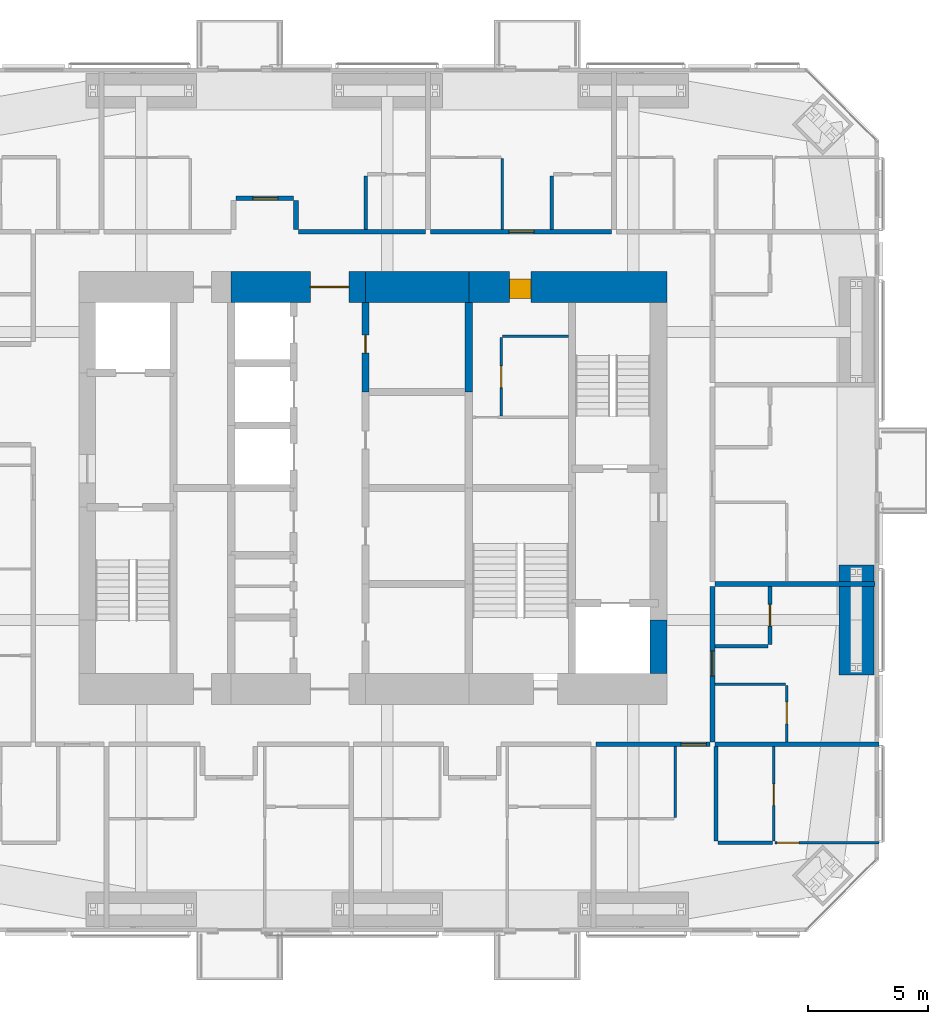
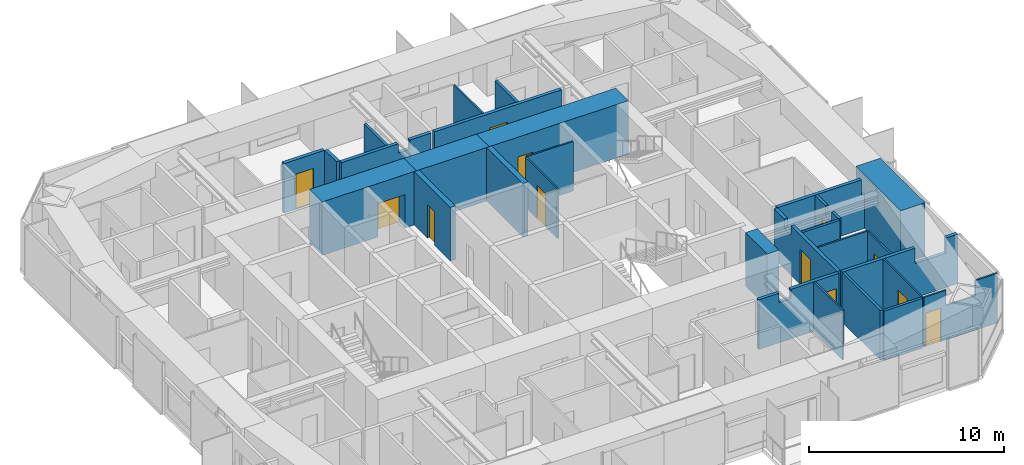
# One storey, part 19 of 23: 29 walls, 12 doors, 12 openings.
"""IFC4 building model written with IfcOpenShell, lengths in metres."""

from ifc_helpers import new_model, si_unit, direction, frame, frame_2d, origin, place, context, subcontext, project, spatial, polyline, rectangle, outline, extrude, material, layer, layer_set, constituent, constituent_set, type_object, element, fill, save


model = new_model("IFC4")

# Units and contexts
model_context = context("Model", 3, precision=1e-05, world=origin(), true_north=direction((0.0, 1.0)))
body_context = subcontext(model_context, "Body", "Model", "MODEL_VIEW")
ifc_project = project(units=[si_unit("LENGTHUNIT", "METRE"), si_unit("AREAUNIT", "SQUARE_METRE"), si_unit("VOLUMEUNIT", "CUBIC_METRE"), si_unit("PLANEANGLEUNIT", "RADIAN"), si_unit("MASSUNIT", "GRAM", prefix="KILO")], contexts=[model_context])

# Site, building, storey
site_placement = place(None, origin())
site = spatial("IfcSite", under=ifc_project, at=site_placement, CompositionType="ELEMENT")
building_placement = place(site_placement, origin())
building = spatial("IfcBuilding", under=site, at=building_placement, Name="Jalousie Tower", CompositionType="ELEMENT")
storey_placement = place(building_placement, frame((0.0, 0.0, 157.699951171875)))
storey = spatial("IfcBuildingStorey", under=building, at=storey_placement, Name="L42", CompositionType="ELEMENT", Elevation=157.699951171875)

# Walls
ifc_material_1 = material(Name="Concrete block ASTM C90", Category="concrete")
ifc_constituent_1 = constituent(ifc_material_1, Name="Body")
ifc_material_2 = material(Name="Render")
ifc_constituent_2 = constituent(ifc_material_2, Name="Finish")
ifc_constituent_set_1 = constituent_set(constituents=[ifc_constituent_1, ifc_constituent_2])
wall_type_1 = type_object("IfcWallType", Name="BATHROOM WALL 150", PredefinedType="PLUMBINGWALL", material=ifc_constituent_set_1)
wall_1_placement = place(storey_placement, frame((46.27490234375, 3.72119140625, 0.0), z_axis=(0.0, 0.0, 1.0), x_axis=(1.0, 0.0, 0.0)))
element("IfcWall", 1, at=wall_1_placement, inside=storey, type_object=wall_type_1, Name="Bathroom Wall 150 L42", PredefinedType="PLUMBINGWALL", context=body_context, shape_type="SweptSolid", body=[
    extrude(rectangle(XDim=2.275146484375, YDim=0.14990234375, at=frame_2d((1.1376953125, 0.0))), origin(), (0.0, 0.0, 1.0), 3.110107421875),
])
wall_2_placement = place(storey_placement, frame((46.199951171875, 3.79638671875, 0.0), z_axis=(0.0, 0.0, 1.0), x_axis=(0.0, 1.0, 0.0)))
element("IfcWall", 2, at=wall_2_placement, inside=storey, type_object=wall_type_1, Name="Bathroom Wall 150 L42", PredefinedType="PLUMBINGWALL", context=body_context, shape_type="SweptSolid", body=[
    extrude(rectangle(XDim=3.9287109375, YDim=0.14990234375, at=frame_2d((1.96435546875, 0.0))), origin(), (0.0, 0.0, 1.0), 3.110107421875),
])
for number, where, z_axis, x_axis, name in (
    (3, (31.60009765625, 31.5, 0.0), (0.0, 0.0, 1.0), (0.0, -1.0, 0.0), "Bathroom Wall 150 L42"),
    (4, (39.35009765625, 31.5, 0.0), (0.0, 0.0, 1.0), (0.0, -1.0, 0.0), "Bathroom Wall 150 L42"),
):
    element("IfcWall", number, at=place(storey_placement, frame(where, z_axis=z_axis, x_axis=x_axis)), inside=storey, type_object=wall_type_1, Name=name, PredefinedType="PLUMBINGWALL", context=body_context, shape_type="SweptSolid", body=[
        extrude(rectangle(XDim=2.22509765625, YDim=0.14990234375, at=frame_2d((1.112548828125, 0.0))), origin(), (0.0, 0.0, 1.0), 3.110107421875),
    ])

# Wall, opening, door
wall_3_placement = place(storey_placement, frame((48.449951171875, 11.97509765625, 0.0), z_axis=(0.0, 0.0, 1.0), x_axis=(0.0, 1.0, 0.0)))
wall_3 = element("IfcWall", 5, at=wall_3_placement, inside=storey, type_object=wall_type_1, Name="Bathroom Wall 150 L42", PredefinedType="PLUMBINGWALL", context=body_context, shape_type="SweptSolid", body=[
    extrude(outline(polyline([(0.0, 0.0), (2.4248046875, 0.0), (2.425048828125, 3.110107421875), (1.34619140625, 3.110107421875), (1.34619140625, 2.531005859375), (0.703857421875, 2.531005859375), (0.703857421875, 3.110107421875), (0.0, 3.110107421875), (0.0, 0.0)])), frame((0.0, 0.074951171875, 0.0), z_axis=(0.0, -1.0, 0.0), x_axis=(1.0, 0.0, 0.0)), (0.0, 0.0, 1.0), 0.14990234375),
])
opening_1_placement = place(wall_3_placement, frame((0.77490234375, 0.0, 0.0)))
opening_1 = element("IfcOpeningElement", 6, at=opening_1_placement, cuts=wall_3, Name="Opening D3", PredefinedType="OPENING", context=body_context, shape_type="SweptSolid", body=[
    extrude(rectangle(XDim=0.89990234375, YDim=2.10009765625, at=frame_2d((0.449951171875, 1.050048828125))), frame((0.0, 0.0849609375, 0.0), z_axis=(0.0, -1.0, 0.0), x_axis=(1.0, 0.0, 0.0)), (0.0, 0.0, 1.0), 0.169921875),
])
ifc_material_3 = material(Name="Timber door", Category="wood")
door_type_1 = type_object("IfcDoorType", Name="BATHROOM DOOR 900", OperationType="SINGLE_SWING_LEFT", PredefinedType="DOOR", material=ifc_material_3)
door_1_placement = place(opening_1_placement, origin())
door_1 = element("IfcDoor", 7, at=door_1_placement, inside=storey, type_object=door_type_1, Name="Apartment 4210 bathroom door", OperationType="SINGLE_SWING_RIGHT", OverallHeight=2.10009765625, OverallWidth=0.89990234375, PredefinedType="DOOR", context=body_context, shape_type="SweptSolid", body=[
    extrude(rectangle(XDim=0.89990234375, YDim=2.10009765625, at=frame_2d((0.449951171875, 1.050048828125))), frame((0.0, 0.02490234375, 0.0), z_axis=(0.0, -1.0, 0.0), x_axis=(1.0, 0.0, 0.0)), (0.0, 0.0, 1.0), 0.050048828125),
])
fill(opening_1, door_1)

# Wall
wall_4_placement = place(storey_placement, frame((48.375, 11.89990234375, 0.0), z_axis=(0.0, 0.0, 1.0), x_axis=(-1.0, 0.0, 0.0)))
element("IfcWall", 8, at=wall_4_placement, inside=storey, type_object=wall_type_1, Name="Bathroom Wall 150 L42", PredefinedType="PLUMBINGWALL", context=body_context, shape_type="SweptSolid", body=[
    extrude(rectangle(XDim=2.22509765625, YDim=0.14990234375, at=frame_2d((1.112548828125, 0.0))), origin(), (0.0, 0.0, 1.0), 3.110107421875),
])

# Wall, opening, door
ifc_material_4 = material(Name="Concrete f'c 120 MPa", Category="concrete")
ifc_layer_1 = layer(ifc_material_4, 1.300048828125)
ifc_layer_set_1 = layer_set([ifc_layer_1], Name="Concrete f'c 120 MPa")
wall_type_2 = type_object("IfcWallType", Name="CORE WALL 1300", PredefinedType="SHEAR", material=ifc_layer_set_1)
wall_5_placement = place(storey_placement, frame((44.14990234375, 26.875, 0.0), z_axis=(0.0, 0.0, 1.0), x_axis=(-1.0, 0.0, 0.0)))
wall_5 = element("IfcWall", 9, at=wall_5_placement, inside=storey, type_object=wall_type_2, Name="Core wall NA L42", PredefinedType="SHEAR", context=body_context, shape_type="SweptSolid", body=[
    extrude(rectangle(XDim=8.25, YDim=1.300048828125, at=frame_2d((4.125, 0.0))), origin(), (0.0, 0.0, 1.0), 3.35009765625),
])
opening_2_placement = place(wall_5_placement, frame((5.64990234375, 0.0, 0.0)))
opening_2 = element("IfcOpeningElement", 10, at=opening_2_placement, cuts=wall_5, Name="Opening D25", PredefinedType="OPENING", context=body_context, shape_type="SweptSolid", body=[
    extrude(rectangle(XDim=0.89990234375, YDim=2.10009765625, at=frame_2d((0.449951171875, 1.050048828125))), frame((0.0, 0.659912109375, 0.0), z_axis=(0.0, -1.0, 0.0), x_axis=(1.0, 0.0, 0.0)), (0.0, 0.0, 1.0), 1.320068359375),
])
ifc_material_5 = material(Name="Steel fire door", Category="steel")
door_type_2 = type_object("IfcDoorType", Name="SERVICE LOBBY DOOR 900", OperationType="SINGLE_SWING_LEFT", PredefinedType="DOOR", material=ifc_material_5)
door_2_placement = place(opening_2_placement, origin())
door_2 = element("IfcDoor", 11, at=door_2_placement, inside=storey, type_object=door_type_2, Name="Service lobby door", OperationType="SINGLE_SWING_RIGHT", OverallHeight=2.10009765625, OverallWidth=0.89990234375, PredefinedType="DOOR", context=body_context, shape_type="SweptSolid", body=[
    extrude(rectangle(XDim=0.89990234375, YDim=2.10009765625, at=frame_2d((0.449951171875, 1.050048828125))), frame((0.0, 0.47021484375, 0.0), z_axis=(0.0, -1.0, 0.0), x_axis=(1.0, 0.0, 0.0)), (0.0, 0.0, 1.0), 0.800048828125),
])
fill(opening_2, door_2)

# Wall
wall_6_placement = place(storey_placement, frame((35.89990234375, 26.875, 0.0), z_axis=(0.0, 0.0, 1.0), x_axis=(-1.0, 0.0, 0.0)))
element("IfcWall", 12, at=wall_6_placement, inside=storey, type_object=wall_type_2, Name="Core wall NB L42", PredefinedType="SHEAR", context=body_context, shape_type="SweptSolid", body=[
    extrude(rectangle(XDim=4.2998046875, YDim=1.300048828125, at=frame_2d((2.14990234375, 0.0))), origin(), (0.0, 0.0, 1.0), 3.35009765625),
])

# Wall, opening, door
wall_7_placement = place(storey_placement, frame((31.60009765625, 26.875, 0.0), z_axis=(0.0, 0.0, 1.0), x_axis=(-1.0, 0.0, 0.0)))
wall_7 = element("IfcWall", 13, at=wall_7_placement, inside=storey, type_object=wall_type_2, Name="Core wall NC L42", PredefinedType="SHEAR", context=body_context, shape_type="SweptSolid", body=[
    extrude(rectangle(XDim=5.60009765625, YDim=1.300048828125, at=frame_2d((2.800048828125, 0.0))), origin(), (0.0, 0.0, 1.0), 3.35009765625),
])
opening_3_placement = place(wall_7_placement, frame((0.699951171875, 0.0, 0.0)))
opening_3 = element("IfcOpeningElement", 14, at=opening_3_placement, cuts=wall_7, Name="Opening D15", PredefinedType="OPENING", context=body_context, shape_type="SweptSolid", body=[
    extrude(rectangle(XDim=1.60009765625, YDim=2.10009765625, at=frame_2d((0.800048828125, 1.050048828125))), frame((0.0, 0.659912109375, 0.0), z_axis=(0.0, -1.0, 0.0), x_axis=(1.0, 0.0, 0.0)), (0.0, 0.0, 1.0), 1.320068359375),
])
ifc_material_6 = material(Name="Steel fire door", Category="steel")
door_type_3 = type_object("IfcDoorType", Name="LIFT LOBBY DOOR 1600", OperationType="DOUBLE_DOOR_SINGLE_SWING", PredefinedType="DOOR", material=ifc_material_6)
door_3_placement = place(opening_3_placement, origin())
door_3 = element("IfcDoor", 15, at=door_3_placement, inside=storey, type_object=door_type_3, Name="Lift lobby north door", OperationType="DOUBLE_DOOR_SINGLE_SWING", OverallHeight=2.10009765625, OverallWidth=1.60009765625, PredefinedType="DOOR", context=body_context, shape_type="SweptSolid", body=[
    extrude(rectangle(XDim=1.60009765625, YDim=2.10009765625, at=frame_2d((0.800048828125, 1.050048828125))), frame((0.0, 0.02490234375, 0.0), z_axis=(0.0, -1.0, 0.0), x_axis=(1.0, 0.0, 0.0)), (0.0, 0.0, 1.0), 0.050048828125),
])
fill(opening_3, door_3)

ifc_material_7 = material(Name="Concrete f'c 120 MPa", Category="concrete")
ifc_layer_2 = layer(ifc_material_7, 0.300048828125)
ifc_layer_set_2 = layer_set([ifc_layer_2], Name="Concrete f'c 120 MPa")
wall_type_3 = type_object("IfcWallType", Name="CORE WALL 300", PredefinedType="SHEAR", material=ifc_layer_set_2)
wall_8_placement = place(storey_placement, frame((31.60009765625, 22.5, 0.0), z_axis=(0.0, 0.0, 1.0), x_axis=(0.0, 1.0, 0.0)))
wall_8 = element("IfcWall", 16, at=wall_8_placement, inside=storey, type_object=wall_type_3, Name="Core wall X31.6D L42", PredefinedType="SHEAR", context=body_context, shape_type="SweptSolid", body=[
    extrude(rectangle(XDim=3.72509765625, YDim=0.300048828125, at=frame_2d((1.862548828125, 0.0))), origin(), (0.0, 0.0, 1.0), 3.35009765625),
])
opening_4_placement = place(wall_8_placement, frame((1.625, 0.0, 0.0)))
opening_4 = element("IfcOpeningElement", 17, at=opening_4_placement, cuts=wall_8, Name="Opening D16", PredefinedType="OPENING", context=body_context, shape_type="SweptSolid", body=[
    extrude(rectangle(XDim=0.75, YDim=2.10009765625, at=frame_2d((0.375, 1.050048828125))), frame((0.0, 0.159912109375, 0.0), z_axis=(0.0, -1.0, 0.0), x_axis=(1.0, 0.0, 0.0)), (0.0, 0.0, 1.0), 0.320068359375),
])
ifc_material_8 = material(Name="Steel fire door", Category="steel")
door_type_4 = type_object("IfcDoorType", Name="RISER DOOR 750", OperationType="SINGLE_SWING_LEFT", PredefinedType="DOOR", material=ifc_material_8)
door_4_placement = place(opening_4_placement, frame((0.75, 0.0, 0.0), z_axis=(0.0, 0.0, 1.0), x_axis=(-1.0, 0.0, 0.0)))
door_4 = element("IfcDoor", 18, at=door_4_placement, inside=storey, type_object=door_type_4, Name="Water Services Room door", OperationType="SINGLE_SWING_LEFT", OverallHeight=2.10009765625, OverallWidth=0.75, PredefinedType="DOOR", context=body_context, shape_type="SweptSolid", body=[
    extrude(rectangle(XDim=0.75, YDim=2.10009765625, at=frame_2d((0.375, 1.050048828125))), frame((0.0, 0.02490234375, 0.0), z_axis=(0.0, -1.0, 0.0), x_axis=(1.0, 0.0, 0.0)), (0.0, 0.0, 1.0), 0.050048828125),
])
fill(opening_4, door_4)

# Walls
wall_9_placement = place(storey_placement, frame((35.89990234375, 22.5, 0.0), z_axis=(0.0, 0.0, 1.0), x_axis=(0.0, 1.0, 0.0)))
element("IfcWall", 19, at=wall_9_placement, inside=storey, type_object=wall_type_3, Name="Core wall X35.9D L42", PredefinedType="SHEAR", context=body_context, shape_type="SweptSolid", body=[
    extrude(rectangle(XDim=3.72509765625, YDim=0.300048828125, at=frame_2d((1.862548828125, 0.0))), origin(), (0.0, 0.0, 1.0), 3.35009765625),
])
ifc_material_9 = material(Name="Concrete f'c 120 MPa", Category="concrete")
ifc_layer_3 = layer(ifc_material_9, 0.699951171875)
ifc_layer_set_3 = layer_set([ifc_layer_3], Name="Concrete f'c 120 MPa")
wall_type_4 = type_object("IfcWallType", Name="CORE WALL 700", PredefinedType="SHEAR", material=ifc_layer_set_3)
wall_10_placement = place(storey_placement, frame((43.800048828125, 10.77490234375, 0.0), z_axis=(0.0, 0.0, 1.0), x_axis=(0.0, 1.0, 0.0)))
element("IfcWall", 20, at=wall_10_placement, inside=storey, type_object=wall_type_4, Name="Core wall EA L42", PredefinedType="SHEAR", context=body_context, shape_type="SweptSolid", body=[
    extrude(rectangle(XDim=2.22509765625, YDim=0.699951171875, at=frame_2d((1.112548828125, 0.0))), origin(), (0.0, 0.0, 1.0), 3.35009765625),
])

# Wall, opening, door
ifc_material_10 = material(Name="Concrete block ASTM C90", Category="concrete")
ifc_constituent_3 = constituent(ifc_material_10, Name="Body")
ifc_material_11 = material(Name="Render")
ifc_constituent_4 = constituent(ifc_material_11, Name="Finish")
ifc_constituent_set_2 = constituent_set(constituents=[ifc_constituent_3, ifc_constituent_4])
wall_type_5 = type_object("IfcWallType", Name="CORRIDOR WALL 200", PredefinedType="PARTITIONING", material=ifc_constituent_set_2)
wall_11_placement = place(storey_placement, frame((41.199951171875, 7.824951171875, 0.0), z_axis=(0.0, 0.0, 1.0), x_axis=(1.0, 0.0, 0.0)))
wall_11 = element("IfcWall", 21, at=wall_11_placement, inside=storey, type_object=wall_type_5, Name="Corridor Wall 200 L42", PredefinedType="PARTITIONING", context=body_context, shape_type="SweptSolid", body=[
    extrude(outline(polyline([(0.0, 0.0), (4.75, 0.0), (4.75, 3.110107421875), (1.896240234375, 3.110107421875), (1.896240234375, 2.531005859375), (1.203857421875, 2.531005859375), (1.203857421875, 3.110107421875), (0.0, 3.110107421875), (0.0, 0.0)])), frame((0.0, 0.10009765625, 0.0), z_axis=(0.0, -1.0, 0.0), x_axis=(1.0, 0.0, 0.0)), (0.0, 0.0, 1.0), 0.199951171875),
])
opening_5_placement = place(wall_11_placement, frame((3.550048828125, 0.0, 0.0)))
opening_5 = element("IfcOpeningElement", 22, at=opening_5_placement, cuts=wall_11, Name="Opening D1", PredefinedType="OPENING", context=body_context, shape_type="SweptSolid", body=[
    extrude(rectangle(XDim=1.050048828125, YDim=2.199951171875, at=frame_2d((0.52490234375, 1.10009765625))), frame((0.0, 0.10986328125, 0.0), z_axis=(0.0, -1.0, 0.0), x_axis=(1.0, 0.0, 0.0)), (0.0, 0.0, 1.0), 0.219970703125),
])
ifc_material_12 = material(Name="Timber fire door", Category="wood")
door_type_5 = type_object("IfcDoorType", Name="APARTMENT ENTRANCE DOOR 1050", OperationType="SINGLE_SWING_LEFT", PredefinedType="DOOR", material=ifc_material_12)
door_5_placement = place(opening_5_placement, frame((1.050048828125, 0.0, 0.0), z_axis=(0.0, 0.0, 1.0), x_axis=(-1.0, 0.0, 0.0)))
door_5 = element("IfcDoor", 23, at=door_5_placement, inside=storey, type_object=door_type_5, Name="Apartment 4204 entrance", OperationType="SINGLE_SWING_RIGHT", OverallHeight=2.199951171875, OverallWidth=1.050048828125, PredefinedType="DOOR", context=body_context, shape_type="SweptSolid", body=[
    extrude(rectangle(XDim=1.050048828125, YDim=2.199951171875, at=frame_2d((0.52490234375, 1.10009765625))), frame((0.0, 0.02490234375, 0.0), z_axis=(0.0, -1.0, 0.0), x_axis=(1.0, 0.0, 0.0)), (0.0, 0.0, 1.0), 0.050048828125),
])
fill(opening_5, door_5)

wall_12_placement = place(storey_placement, frame((34.300048828125, 29.175048828125, 0.0), z_axis=(0.0, 0.0, 1.0), x_axis=(1.0, 0.0, 0.0)))
wall_12 = element("IfcWall", 24, at=wall_12_placement, inside=storey, type_object=wall_type_5, Name="Corridor Wall 200 L42", PredefinedType="PARTITIONING", context=body_context, shape_type="SweptSolid", body=[
    extrude(rectangle(XDim=7.550048828125, YDim=0.199951171875, at=frame_2d((3.77490234375, 0.0))), origin(), (0.0, 0.0, 1.0), 3.110107421875),
])
opening_6_placement = place(wall_12_placement, frame((3.27490234375, 0.0, 0.0)))
opening_6 = element("IfcOpeningElement", 25, at=opening_6_placement, cuts=wall_12, Name="Opening D1", PredefinedType="OPENING", context=body_context, shape_type="SweptSolid", body=[
    extrude(rectangle(XDim=1.050048828125, YDim=2.199951171875, at=frame_2d((0.52490234375, 1.10009765625))), frame((0.0, 0.10986328125, 0.0), z_axis=(0.0, -1.0, 0.0), x_axis=(1.0, 0.0, 0.0)), (0.0, 0.0, 1.0), 0.219970703125),
])
door_6_placement = place(opening_6_placement, origin())
door_6 = element("IfcDoor", 26, at=door_6_placement, inside=storey, type_object=door_type_5, Name="Apartment 4207 entrance", OperationType="SINGLE_SWING_LEFT", OverallHeight=2.199951171875, OverallWidth=1.050048828125, PredefinedType="DOOR", context=body_context, shape_type="SweptSolid", body=[
    extrude(rectangle(XDim=1.050048828125, YDim=2.199951171875, at=frame_2d((0.52490234375, 1.10009765625))), frame((0.0, 0.02490234375, 0.0), z_axis=(0.0, -1.0, 0.0), x_axis=(1.0, 0.0, 0.0)), (0.0, 0.0, 1.0), 0.050048828125),
])
fill(opening_6, door_6)

wall_13_placement = place(storey_placement, frame((46.050048828125, 7.925048828125, 0.0), z_axis=(0.0, 0.0, 1.0), x_axis=(0.0, 1.0, 0.0)))
wall_13 = element("IfcWall", 27, at=wall_13_placement, inside=storey, type_object=wall_type_5, Name="Corridor Wall 200 L42", PredefinedType="PARTITIONING", context=body_context, shape_type="SweptSolid", body=[
    extrude(outline(polyline([(0.0, 0.0), (6.474853515625, 0.0), (6.47509765625, 3.110107421875), (5.421142578125, 3.110107421875), (5.421142578125, 2.531005859375), (4.728759765625, 2.531005859375), (4.728759765625, 3.110107421875), (0.0, 3.110107421875), (0.0, 0.0)])), frame((0.0, 0.10009765625, 0.0), z_axis=(0.0, -1.0, 0.0), x_axis=(1.0, 0.0, 0.0)), (0.0, 0.0, 1.0), 0.199951171875),
])
opening_7_placement = place(wall_13_placement, frame((2.737548828125, 0.0, 0.0)))
opening_7 = element("IfcOpeningElement", 28, at=opening_7_placement, cuts=wall_13, Name="Opening D1", PredefinedType="OPENING", context=body_context, shape_type="SweptSolid", body=[
    extrude(rectangle(XDim=1.050048828125, YDim=2.199951171875, at=frame_2d((0.52490234375, 1.10009765625))), frame((0.0, 0.10986328125, 0.0), z_axis=(0.0, -1.0, 0.0), x_axis=(1.0, 0.0, 0.0)), (0.0, 0.0, 1.0), 0.219970703125),
])
door_7_placement = place(opening_7_placement, frame((1.050048828125, 0.0, 0.0), z_axis=(0.0, 0.0, 1.0), x_axis=(-1.0, 0.0, 0.0)))
door_7 = element("IfcDoor", 29, at=door_7_placement, inside=storey, type_object=door_type_5, Name="Apartment 4210 entrance", OperationType="SINGLE_SWING_LEFT", OverallHeight=2.199951171875, OverallWidth=1.050048828125, PredefinedType="DOOR", context=body_context, shape_type="SweptSolid", body=[
    extrude(rectangle(XDim=1.050048828125, YDim=2.199951171875, at=frame_2d((0.52490234375, 1.10009765625))), frame((0.0, 0.02490234375, 0.0), z_axis=(0.0, -1.0, 0.0), x_axis=(1.0, 0.0, 0.0)), (0.0, 0.0, 1.0), 0.050048828125),
])
fill(opening_7, door_7)

# Wall
wall_14_placement = place(storey_placement, frame((28.800048828125, 29.175048828125, 0.0), z_axis=(0.0, 0.0, 1.0), x_axis=(1.0, 0.0, 0.0)))
element("IfcWall", 30, at=wall_14_placement, inside=storey, type_object=wall_type_5, Name="Corridor Wall 200 L42", PredefinedType="PARTITIONING", context=body_context, shape_type="SweptSolid", body=[
    extrude(outline(polyline([(0.0, 0.0), (5.300048828125, 0.0), (5.300048828125, 3.110107421875), (4.046142578125, 3.110107421875), (4.046142578125, 2.531005859375), (3.353759765625, 2.531005859375), (3.353759765625, 3.110107421875), (0.0, 3.110107421875), (0.0, 0.0)])), frame((0.0, 0.10009765625, 0.0), z_axis=(0.0, -1.0, 0.0), x_axis=(1.0, 0.0, 0.0)), (0.0, 0.0, 1.0), 0.199951171875),
])

# Wall, opening, door
wall_15_placement = place(storey_placement, frame((26.199951171875, 30.574951171875, 0.0), z_axis=(0.0, 0.0, 1.0), x_axis=(1.0, 0.0, 0.0)))
wall_15 = element("IfcWall", 31, at=wall_15_placement, inside=storey, type_object=wall_type_5, Name="Corridor Wall 200 L42", PredefinedType="PARTITIONING", context=body_context, shape_type="SweptSolid", body=[
    extrude(rectangle(XDim=2.400146484375, YDim=0.199951171875, at=frame_2d((1.2001953125, 0.0))), origin(), (0.0, 0.0, 1.0), 3.110107421875),
])
opening_8_placement = place(wall_15_placement, frame((0.699951171875, 0.0, 0.0)))
opening_8 = element("IfcOpeningElement", 32, at=opening_8_placement, cuts=wall_15, Name="Opening D1", PredefinedType="OPENING", context=body_context, shape_type="SweptSolid", body=[
    extrude(rectangle(XDim=1.050048828125, YDim=2.199951171875, at=frame_2d((0.52490234375, 1.10009765625))), frame((0.0, 0.10986328125, 0.0), z_axis=(0.0, -1.0, 0.0), x_axis=(1.0, 0.0, 0.0)), (0.0, 0.0, 1.0), 0.219970703125),
])
door_8_placement = place(opening_8_placement, origin())
door_8 = element("IfcDoor", 33, at=door_8_placement, inside=storey, type_object=door_type_5, Name="Apartment 4206 entrance", OperationType="SINGLE_SWING_LEFT", OverallHeight=2.199951171875, OverallWidth=1.050048828125, PredefinedType="DOOR", context=body_context, shape_type="SweptSolid", body=[
    extrude(rectangle(XDim=1.050048828125, YDim=2.199951171875, at=frame_2d((0.52490234375, 1.10009765625))), frame((0.0, 0.02490234375, 0.0), z_axis=(0.0, -1.0, 0.0), x_axis=(1.0, 0.0, 0.0)), (0.0, 0.0, 1.0), 0.050048828125),
])
fill(opening_8, door_8)

# Wall
wall_16_placement = place(storey_placement, frame((28.699951171875, 29.27490234375, 0.0), z_axis=(0.0, 0.0, 1.0), x_axis=(0.0, 1.0, 0.0)))
element("IfcWall", 34, at=wall_16_placement, inside=storey, type_object=wall_type_5, Name="Corridor Wall 200 L42", PredefinedType="PARTITIONING", context=body_context, shape_type="SweptSolid", body=[
    extrude(rectangle(XDim=1.2001953125, YDim=0.199951171875, at=frame_2d((0.60009765625, 0.0))), origin(), (0.0, 0.0, 1.0), 3.110107421875),
])

# Wall, opening, door
ifc_material_13 = material(Name="Gypsum board", Category="gypsum")
ifc_constituent_5 = constituent(ifc_material_13, Name="Body")
ifc_material_14 = material(Name="Light-gauge steel studs ASTM A653 SS Grade 33", Category="steel")
ifc_constituent_6 = constituent(ifc_material_14, Name="Framing")
ifc_constituent_set_3 = constituent_set(constituents=[ifc_constituent_5, ifc_constituent_6])
wall_type_6 = type_object("IfcWallType", Name="PARTITION 100", PredefinedType="PARTITIONING", material=ifc_constituent_set_3)
wall_17_placement = place(storey_placement, frame((48.60009765625, 3.79638671875, 0.0), z_axis=(0.0, 0.0, 1.0), x_axis=(0.0, 1.0, 0.0)))
wall_17 = element("IfcWall", 35, at=wall_17_placement, inside=storey, type_object=wall_type_6, Name="Partition 100 L42", PredefinedType="PARTITIONING", context=body_context, shape_type="SweptSolid", body=[
    extrude(rectangle(XDim=3.9287109375, YDim=0.10009765625, at=frame_2d((1.96435546875, 0.0))), origin(), (0.0, 0.0, 1.0), 3.110107421875),
])
opening_9_placement = place(wall_17_placement, frame((1.476806640625, 0.0, 0.0)))
opening_9 = element("IfcOpeningElement", 36, at=opening_9_placement, cuts=wall_17, Name="Opening D3", PredefinedType="OPENING", context=body_context, shape_type="SweptSolid", body=[
    extrude(rectangle(XDim=0.89990234375, YDim=2.10009765625, at=frame_2d((0.449951171875, 1.050048828125))), frame((0.0, 0.06005859375, 0.0), z_axis=(0.0, -1.0, 0.0), x_axis=(1.0, 0.0, 0.0)), (0.0, 0.0, 1.0), 0.1201171875),
])
door_9_placement = place(opening_9_placement, origin())
door_9 = element("IfcDoor", 37, at=door_9_placement, inside=storey, type_object=door_type_1, Name="Apartment 4204 bedroom 1 bathroom door", OperationType="SINGLE_SWING_LEFT", OverallHeight=2.10009765625, OverallWidth=0.89990234375, PredefinedType="DOOR", context=body_context, shape_type="SweptSolid", body=[
    extrude(rectangle(XDim=0.89990234375, YDim=2.10009765625, at=frame_2d((0.449951171875, 1.050048828125))), frame((0.0, 0.02490234375, 0.0), z_axis=(0.0, -1.0, 0.0), x_axis=(1.0, 0.0, 0.0)), (0.0, 0.0, 1.0), 0.050048828125),
])
fill(opening_9, door_9)

wall_18_placement = place(storey_placement, frame((48.64990234375, 3.72119140625, 0.0), z_axis=(0.0, 0.0, 1.0), x_axis=(1.0, 0.0, 0.0)))
wall_18 = element("IfcWall", 38, at=wall_18_placement, inside=storey, type_object=wall_type_6, Name="Partition 100 L42", PredefinedType="PARTITIONING", context=body_context, shape_type="SweptSolid", body=[
    extrude(outline(polyline([(0.0, 0.0), (4.35009765625, 0.0), (4.35009765625, 3.110107421875), (3.049072265625, 3.110107421875), (3.049072265625, 2.150146484375), (1.314453125, 2.150146484375), (1.314453125, 3.110107421875), (0.0, 3.110107421875), (0.0, 0.0)])), frame((0.0, 0.050048828125, 0.0), z_axis=(0.0, -1.0, 0.0), x_axis=(1.0, 0.0, 0.0)), (0.0, 0.0, 1.0), 0.10009765625),
])
opening_10_placement = place(wall_18_placement, frame((0.10009765625, 0.0, 0.0)))
opening_10 = element("IfcOpeningElement", 39, at=opening_10_placement, cuts=wall_18, Name="Opening D2", PredefinedType="OPENING", context=body_context, shape_type="SweptSolid", body=[
    extrude(rectangle(XDim=0.89990234375, YDim=2.10009765625, at=frame_2d((0.449951171875, 1.050048828125))), frame((0.0, 0.06005859375, 0.0), z_axis=(0.0, -1.0, 0.0), x_axis=(1.0, 0.0, 0.0)), (0.0, 0.0, 1.0), 0.1201171875),
])
ifc_material_15 = material(Name="Timber door", Category="wood")
door_type_6 = type_object("IfcDoorType", Name="BEDROOM DOOR 900", OperationType="SINGLE_SWING_LEFT", PredefinedType="DOOR", material=ifc_material_15)
door_10_placement = place(opening_10_placement, origin())
door_10 = element("IfcDoor", 40, at=door_10_placement, inside=storey, type_object=door_type_6, Name="Apartment 4204 bedroom 1 door", OperationType="SINGLE_SWING_LEFT", OverallHeight=2.10009765625, OverallWidth=0.89990234375, PredefinedType="DOOR", context=body_context, shape_type="SweptSolid", body=[
    extrude(rectangle(XDim=0.89990234375, YDim=2.10009765625, at=frame_2d((0.449951171875, 1.050048828125))), frame((0.0, 0.02490234375, 0.0), z_axis=(0.0, -1.0, 0.0), x_axis=(1.0, 0.0, 0.0)), (0.0, 0.0, 1.0), 0.050048828125),
])
fill(opening_10, door_10)

# Walls
for number, where, z_axis, x_axis, name in (
    (41, (44.5, 4.77490234375, 0.0), (0.0, 0.0, 1.0), (0.0, 1.0, 0.0), "Partition 100 L42"),
    (42, (37.300048828125, 32.22509765625, 0.0), (0.0, 0.0, 1.0), (0.0, -1.0, 0.0), "Partition 100 L42"),
):
    element("IfcWall", number, at=place(storey_placement, frame(where, z_axis=z_axis, x_axis=x_axis)), inside=storey, type_object=wall_type_6, Name=name, PredefinedType="PARTITIONING", context=body_context, shape_type="SweptSolid", body=[
        extrude(rectangle(XDim=2.9501953125, YDim=0.10009765625, at=frame_2d((1.47509765625, 0.0))), origin(), (0.0, 0.0, 1.0), 3.110107421875),
    ])

# Wall, opening, door
wall_19_placement = place(storey_placement, frame((49.14990234375, 7.925048828125, 0.0), z_axis=(0.0, 0.0, 1.0), x_axis=(0.0, 1.0, 0.0)))
wall_19 = element("IfcWall", 43, at=wall_19_placement, inside=storey, type_object=wall_type_6, Name="Partition 100 L42", PredefinedType="PARTITIONING", context=body_context, shape_type="SweptSolid", body=[
    extrude(rectangle(XDim=2.349853515625, YDim=0.10009765625, at=frame_2d((1.1748046875, 0.0))), origin(), (0.0, 0.0, 1.0), 3.110107421875),
])
opening_11_placement = place(wall_19_placement, frame((0.75, 0.0, 0.0)))
opening_11 = element("IfcOpeningElement", 44, at=opening_11_placement, cuts=wall_19, Name="Opening D7", PredefinedType="OPENING", context=body_context, shape_type="SweptSolid", body=[
    extrude(rectangle(XDim=0.89990234375, YDim=2.10009765625, at=frame_2d((0.449951171875, 1.050048828125))), frame((0.0, 0.06005859375, 0.0), z_axis=(0.0, -1.0, 0.0), x_axis=(1.0, 0.0, 0.0)), (0.0, 0.0, 1.0), 0.1201171875),
])
ifc_material_16 = material(Name="Timber door", Category="wood")
door_type_7 = type_object("IfcDoorType", Name="INTERNAL DOOR 900", OperationType="SINGLE_SWING_LEFT", PredefinedType="DOOR", material=ifc_material_16)
door_11_placement = place(opening_11_placement, origin())
door_11 = element("IfcDoor", 45, at=door_11_placement, inside=storey, type_object=door_type_7, Name="Apartment 4210 kitchen door", OperationType="SINGLE_SWING_RIGHT", OverallHeight=2.10009765625, OverallWidth=0.89990234375, PredefinedType="DOOR", context=body_context, shape_type="SweptSolid", body=[
    extrude(rectangle(XDim=0.89990234375, YDim=2.10009765625, at=frame_2d((0.449951171875, 1.050048828125))), frame((0.0, 0.02490234375, 0.0), z_axis=(0.0, -1.0, 0.0), x_axis=(1.0, 0.0, 0.0)), (0.0, 0.0, 1.0), 0.050048828125),
])
fill(opening_11, door_11)

# Walls
wall_20_placement = place(storey_placement, frame((49.10009765625, 10.324951171875, 0.0), z_axis=(0.0, 0.0, 1.0), x_axis=(-1.0, 0.0, 0.0)))
element("IfcWall", 46, at=wall_20_placement, inside=storey, type_object=wall_type_6, Name="Partition 100 L42", PredefinedType="PARTITIONING", context=body_context, shape_type="SweptSolid", body=[
    extrude(rectangle(XDim=2.9501953125, YDim=0.10009765625, at=frame_2d((1.47509765625, 0.0))), origin(), (0.0, 0.0, 1.0), 3.110107421875),
])
wall_21_placement = place(storey_placement, frame((37.300048828125, 24.824951171875, 0.0), z_axis=(0.0, 0.0, 1.0), x_axis=(1.0, 0.0, 0.0)))
element("IfcWall", 47, at=wall_21_placement, inside=storey, type_object=wall_type_6, Name="Partition 100 L42", PredefinedType="PARTITIONING", context=body_context, shape_type="SweptSolid", body=[
    extrude(rectangle(XDim=2.75, YDim=0.10009765625, at=frame_2d((1.375, 0.0))), origin(), (0.0, 0.0, 1.0), 3.110107421875),
])

# Wall, opening, door
wall_22_placement = place(storey_placement, frame((37.25, 21.5, 0.0), z_axis=(0.0, 0.0, 1.0), x_axis=(0.0, 1.0, 0.0)))
wall_22 = element("IfcWall", 48, at=wall_22_placement, inside=storey, type_object=wall_type_6, Name="Partition 100 L42", PredefinedType="PARTITIONING", context=body_context, shape_type="SweptSolid", body=[
    extrude(rectangle(XDim=3.27490234375, YDim=0.10009765625, at=frame_2d((1.637451171875, 0.0))), origin(), (0.0, 0.0, 1.0), 3.110107421875),
])
opening_12_placement = place(wall_22_placement, frame((1.1875, 0.0, 0.0)))
opening_12 = element("IfcOpeningElement", 49, at=opening_12_placement, cuts=wall_22, Name="Opening D7", PredefinedType="OPENING", context=body_context, shape_type="SweptSolid", body=[
    extrude(rectangle(XDim=0.89990234375, YDim=2.10009765625, at=frame_2d((0.449951171875, 1.050048828125))), frame((0.0, 0.06005859375, 0.0), z_axis=(0.0, -1.0, 0.0), x_axis=(1.0, 0.0, 0.0)), (0.0, 0.0, 1.0), 0.1201171875),
])
door_12_placement = place(opening_12_placement, frame((0.89990234375, 0.0, 0.0), z_axis=(0.0, 0.0, 1.0), x_axis=(-1.0, 0.0, 0.0)))
door_12 = element("IfcDoor", 50, at=door_12_placement, inside=storey, type_object=door_type_7, Name="Ice and vending room door", OperationType="SINGLE_SWING_LEFT", OverallHeight=2.10009765625, OverallWidth=0.89990234375, PredefinedType="DOOR", context=body_context, shape_type="SweptSolid", body=[
    extrude(rectangle(XDim=0.89990234375, YDim=2.10009765625, at=frame_2d((0.449951171875, 1.050048828125))), frame((0.0, 0.02490234375, 0.0), z_axis=(0.0, -1.0, 0.0), x_axis=(1.0, 0.0, 0.0)), (0.0, 0.0, 1.0), 0.050048828125),
])
fill(opening_12, door_12)

# Walls
ifc_material_17 = material(Name="Concrete block ASTM C90", Category="concrete")
ifc_constituent_7 = constituent(ifc_material_17, Name="Body")
ifc_material_18 = material(Name="Render")
ifc_constituent_8 = constituent(ifc_material_18, Name="Finish")
ifc_constituent_set_4 = constituent_set(constituents=[ifc_constituent_7, ifc_constituent_8])
wall_type_7 = type_object("IfcWallType", Name="PARTY WALL 200", PredefinedType="PARTITIONING", material=ifc_constituent_set_4)
wall_23_placement = place(storey_placement, frame((46.14990234375, 7.824951171875, 0.0), z_axis=(0.0, 0.0, 1.0), x_axis=(1.0, 0.0, 0.0)))
element("IfcWall", 51, at=wall_23_placement, inside=storey, type_object=wall_type_7, Name="Party Wall 200 L42", PredefinedType="PARTITIONING", context=body_context, shape_type="SweptSolid", body=[
    extrude(outline(polyline([(0.0, 0.0), (6.85009765625, 0.0), (6.85009765625, 3.110107421875), (6.138427734375, 3.110107421875), (6.138427734375, 2.150146484375), (4.302734375, 2.150146484375), (4.302734375, 3.110107421875), (0.0, 3.110107421875), (0.0, 0.0)])), frame((0.0, 0.10009765625, 0.0), z_axis=(0.0, -1.0, 0.0), x_axis=(1.0, 0.0, 0.0)), (0.0, 0.0, 1.0), 0.199951171875),
])
wall_24_placement = place(storey_placement, frame((52.824951171875, 14.5, 0.0), z_axis=(0.0, 0.0, 1.0), x_axis=(-1.0, 0.0, 0.0)))
element("IfcWall", 52, at=wall_24_placement, inside=storey, type_object=wall_type_7, Name="Party Wall 200 L42", PredefinedType="PARTITIONING", context=body_context, shape_type="SweptSolid", body=[
    extrude(outline(polyline([(0.52880859375, 2.150146484375), (0.0, 2.150146484375), (0.0, 0.0), (0.52880859375, 0.0), (0.52880859375, 0.290283203125), (1.021240234375, 0.290283203125), (1.021240234375, 0.0), (6.675048828125, 0.0), (6.675048828125, 3.110107421875), (1.68505859375, 3.110107421875), (1.68505859375, 2.150146484375), (1.021240234375, 2.150146484375), (1.021240234375, 1.85986328125), (0.52880859375, 1.85986328125), (0.52880859375, 2.150146484375)])), frame((0.0, 0.10009765625, 0.0), z_axis=(0.0, -1.0, 0.0), x_axis=(1.0, 0.0, 0.0)), (0.0, 0.0, 1.0), 0.199951171875),
])
ifc_material_19 = material(Name="Concrete f'c 120 MPa", Category="concrete")
ifc_layer_4 = layer(ifc_material_19, 1.449951171875)
ifc_layer_set_4 = layer_set([ifc_layer_4], Name="Concrete f'c 120 MPa")
wall_type_8 = type_object("IfcWallType", Name="RC WALL PIER 1450", PredefinedType="SHEAR", material=ifc_layer_set_4)
wall_25_placement = place(storey_placement, frame((52.050048828125, 10.699951171875, 0.0), z_axis=(0.0, 0.0, 1.0), x_axis=(0.0, 1.0, 0.0)))
element("IfcWall", 53, at=wall_25_placement, inside=storey, type_object=wall_type_8, Name="Wall pier 06 L42", PredefinedType="SHEAR", context=body_context, shape_type="SweptSolid", body=[
    extrude(rectangle(XDim=4.60009765625, YDim=1.449951171875, at=frame_2d((2.300048828125, 0.0))), origin(), (0.0, 0.0, 1.0), 3.35009765625),
])

save(model, "model.ifc")
